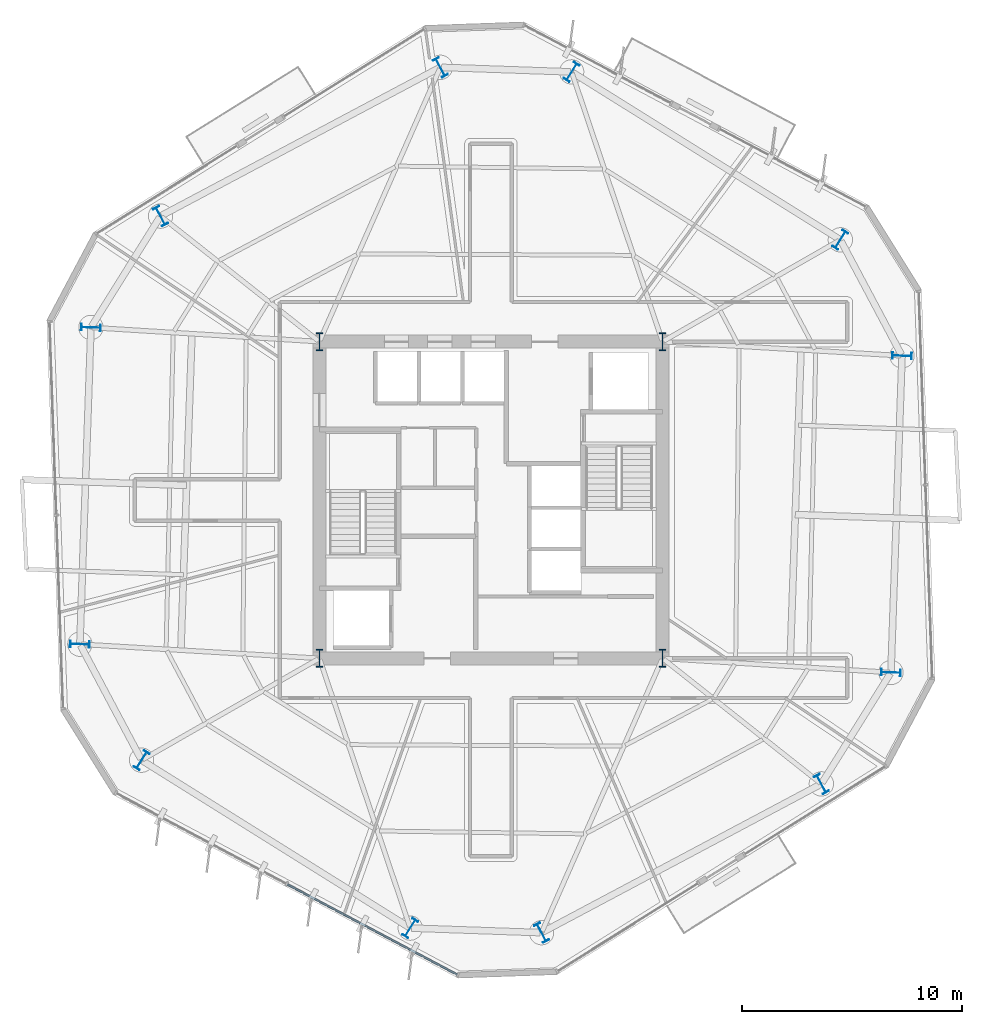
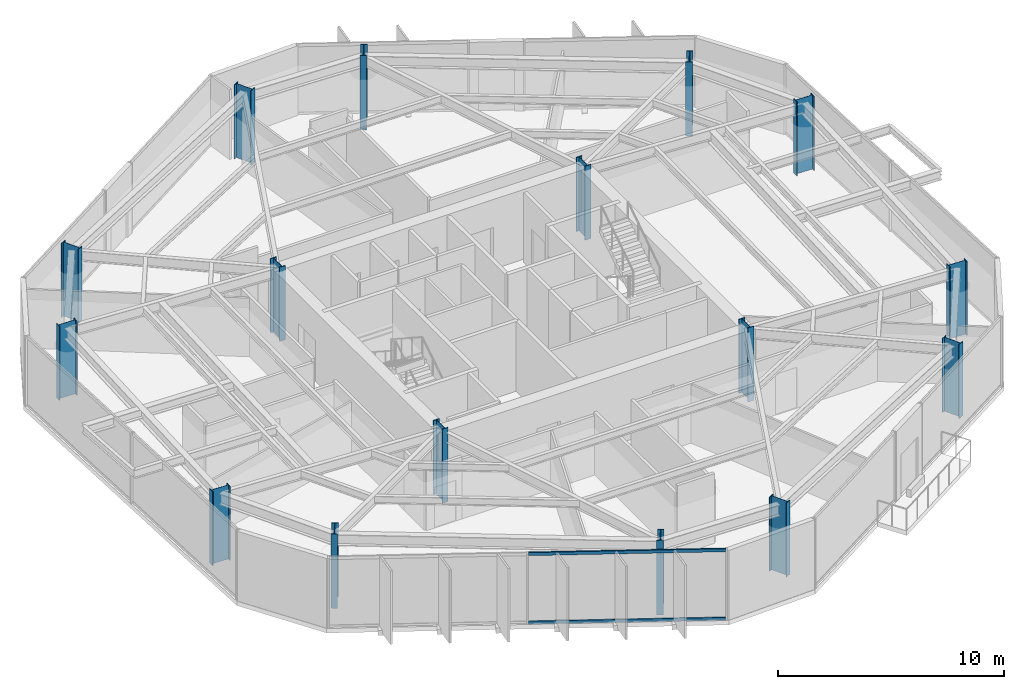
# One storey, part 1 of 12: 16 columns, 2 members, 1 element without a shape of its own.
"""IFC4 building model written with IfcOpenShell, lengths in metres."""

from ifc_helpers import new_model, si_unit, direction, frame, origin, origin_2d, place, context, subcontext, project, spatial, rectangle, i_section, extrude, material, layer, layer_set, material_profile, profile_set, type_object, element, aggregate, save


model = new_model("IFC4")

# Units and contexts
model_context = context("Model", 3, precision=1e-05, world=origin(), true_north=direction((0.0, 1.0)))
body_context = subcontext(model_context, "Body", "Model", "MODEL_VIEW")
ifc_project = project(units=[si_unit("LENGTHUNIT", "METRE"), si_unit("AREAUNIT", "SQUARE_METRE"), si_unit("VOLUMEUNIT", "CUBIC_METRE"), si_unit("PLANEANGLEUNIT", "RADIAN"), si_unit("MASSUNIT", "GRAM", prefix="KILO")], contexts=[model_context])

# Site, building, storey
site_placement = place(None, origin())
site = spatial("IfcSite", under=ifc_project, at=site_placement, CompositionType="ELEMENT")
building_placement = place(site_placement, origin())
building = spatial("IfcBuilding", under=site, at=building_placement, Name="Kranzbogen Civic Tower", CompositionType="ELEMENT")
storey_placement = place(building_placement, frame((0.0, 0.0, 150.39990234375)))
storey = spatial("IfcBuildingStorey", under=building, at=storey_placement, Name="L36", CompositionType="ELEMENT", Elevation=150.39990234375)

# Columns
ifc_material_1 = material(Name="Steel S355", Category="steel")
ifc_material_profile_1 = material_profile(ifc_material_1, i_section(OverallWidth=0.300048828125, OverallDepth=0.89990234375, WebThickness=0.0185546875, FlangeThickness=0.034912109375, at=origin_2d()), Name="HEB 900")
ifc_profile_set_1 = profile_set([ifc_material_profile_1], Name="Steel S355")
column_type_1 = type_object("IfcColumnType", Name="Structural Column HEB 900", PredefinedType="COLUMN", material=ifc_profile_set_1)
for number, where, z_axis, x_axis, name in (
    (1, (40.885986328125, 36.8291015625, 0.0), (0.0, 0.0, 1.0), (-0.848048096156, 0.529919264233, 0.0), "L36 tower perimeter tube column 01"),
    (2, (28.66796875, 44.464111328125, 0.0), (0.0, 0.0, 1.0), (-0.848048096156, 0.529919264233, 0.0), "L36 tower perimeter tube column 02"),
    (3, (22.698974609375, 44.672119140625, 0.0), (0.0, 0.0, 1.0), (0.882947592859, 0.469471562786, 0.0), "L36 tower perimeter tube column 03"),
    (4, (9.97705078125, 37.907958984375, 0.0), (0.0, 0.0, 1.0), (0.882947592859, 0.469471562786, 0.0), "L36 tower perimeter tube column 04"),
    (5, (6.81298828125, 32.843994140625, 0.0), (0.0, 0.0, 1.0), (0.034899496703, 0.999390827019, 0.0), "L36 tower perimeter tube column 05"),
    (6, (6.31005859375, 18.444091796875, 0.0), (0.0, 0.0, 1.0), (0.034899496703, 0.999390827019, 0.0), "L36 tower perimeter tube column 06"),
    (7, (9.114013671875, 13.1708984375, 0.0), (0.0, 0.0, 1.0), (-0.848048096156, 0.529919264233, 0.0), "L36 tower perimeter tube column 07"),
    (8, (21.33203125, 5.535888671875, 0.0), (0.0, 0.0, 1.0), (-0.848048096156, 0.529919264233, 0.0), "L36 tower perimeter tube column 08"),
    (9, (27.301025390625, 5.327880859375, 0.0), (0.0, 0.0, 1.0), (0.882947592859, 0.469471562786, 0.0), "L36 tower perimeter tube column 09"),
    (10, (40.02294921875, 12.092041015625, 0.0), (0.0, 0.0, 1.0), (0.882947592859, 0.469471562786, 0.0), "L36 tower perimeter tube column 10"),
    (11, (43.18701171875, 17.156005859375, 0.0), (0.0, 0.0, 1.0), (0.034899496703, 0.999390827019, 0.0), "L36 tower perimeter tube column 11"),
    (12, (43.68994140625, 31.555908203125, 0.0), (0.0, 0.0, 1.0), (0.034899496703, 0.999390827019, 0.0), "L36 tower perimeter tube column 12"),
):
    element("IfcColumn", number, at=place(storey_placement, frame(where, z_axis=z_axis, x_axis=x_axis)), inside=storey, type_object=column_type_1, Name=name, PredefinedType="COLUMN", context=body_context, shape_type="SweptSolid", body=[
        extrude(i_section(OverallWidth=0.300048828125, OverallDepth=0.89990234375, WebThickness=0.0185546875, FlangeThickness=0.034912109375, at=origin_2d()), origin(), (0.0, 0.0, 1.0), 4.0),
    ])
ifc_material_2 = material(Name="Steel S460", Category="steel")
ifc_material_profile_2 = material_profile(ifc_material_2, i_section(OverallWidth=0.302978515625, OverallDepth=0.81396484375, WebThickness=0.02099609375, FlangeThickness=0.0400390625, at=origin_2d()), Name="HEM 800")
ifc_profile_set_2 = profile_set([ifc_material_profile_2], Name="Steel S460")
column_type_2 = type_object("IfcColumnType", Name="Structural Column HEM 800", PredefinedType="COLUMN", material=ifc_profile_set_2)
for number, where, z_axis, x_axis, name in (
    (13, (17.199951171875, 17.800048828125, 0.0), (0.0, 0.0, 1.0), (1.0, 0.0, 0.0), "L36 composite core corner column 1"),
    (14, (32.800048828125, 17.800048828125, 0.0), (0.0, 0.0, 1.0), (1.0, 0.0, 0.0), "L36 composite core corner column 2"),
    (15, (32.800048828125, 32.199951171875, 0.0), (0.0, 0.0, 1.0), (1.0, 0.0, 0.0), "L36 composite core corner column 3"),
    (16, (17.199951171875, 32.199951171875, 0.0), (0.0, 0.0, 1.0), (1.0, 0.0, 0.0), "L36 composite core corner column 4"),
):
    element("IfcColumn", number, at=place(storey_placement, frame(where, z_axis=z_axis, x_axis=x_axis)), inside=storey, type_object=column_type_2, Name=name, PredefinedType="COLUMN", context=body_context, shape_type="SweptSolid", body=[
        extrude(i_section(OverallWidth=0.302978515625, OverallDepth=0.81396484375, WebThickness=0.02099609375, FlangeThickness=0.0400390625, at=origin_2d()), origin(), (0.0, 0.0, 1.0), 4.0),
    ])

# Curtain wall, members
ifc_material_3 = material(Name="Pale Anodised Aluminium", Category="aluminium")
ifc_layer = layer(ifc_material_3, 0.219970703125, Name="Pale Anodised Aluminium")
ifc_layer_set = layer_set([ifc_layer], Name="Pale Anodised Aluminium")
curtain_wall_type = type_object("IfcCurtainWallType", Name="Zone 2 Stick Curtain Wall System CW-03", PredefinedType="USERDEFINED", material=ifc_layer_set)
curtain_wall_placement = place(storey_placement, origin())
curtain_wall = element("IfcCurtainWall", 17, at=curtain_wall_placement, inside=storey, type_object=curtain_wall_type, Name="L36 curtain wall CW-L36-F4", ObjectType="STICK CURTAIN WALL", PredefinedType="USERDEFINED")
ifc_material_profile_3 = material_profile(ifc_material_3, rectangle(XDim=0.074951171875, YDim=0.1650390625, at=origin_2d()), Name="ALU-T 75x165")
ifc_profile_set_3 = profile_set([ifc_material_profile_3], Name="Pale Anodised Aluminium")
member_type = type_object("IfcMemberType", Name="Curtain Wall Transom ALU-T 75x165", PredefinedType="USERDEFINED", material=ifc_profile_set_3)
member_1_placement = place(storey_placement, frame((15.743896484375, 7.5283203125, 0.030029296875), z_axis=(0.882957342615, -0.469453225703, 0.0), x_axis=(0.469453225703, 0.882957342615, 0.0)))
member_1 = element("IfcMember", 18, at=member_1_placement, type_object=member_type, Name="CW-03 transom 2.1", ObjectType="TRANSOM", PredefinedType="USERDEFINED", context=body_context, shape_type="SweptSolid", body=[
    extrude(rectangle(XDim=0.074951171875, YDim=0.1650390625, at=origin_2d()), origin(), (0.0, 0.0, 1.0), 8.74462890625),
])
member_2_placement = place(storey_placement, frame((15.743896484375, 7.5283203125, 3.72998046875), z_axis=(0.882957342615, -0.469453225703, 0.0), x_axis=(0.469453225703, 0.882957342615, 0.0)))
member_2 = element("IfcMember", 19, at=member_2_placement, type_object=member_type, Name="CW-03 transom 2.2", ObjectType="TRANSOM", PredefinedType="USERDEFINED", context=body_context, shape_type="SweptSolid", body=[
    extrude(rectangle(XDim=0.074951171875, YDim=0.1650390625, at=origin_2d()), origin(), (0.0, 0.0, 1.0), 8.74462890625),
])
aggregate(curtain_wall, [member_1, member_2])

save(model, "model.ifc")
